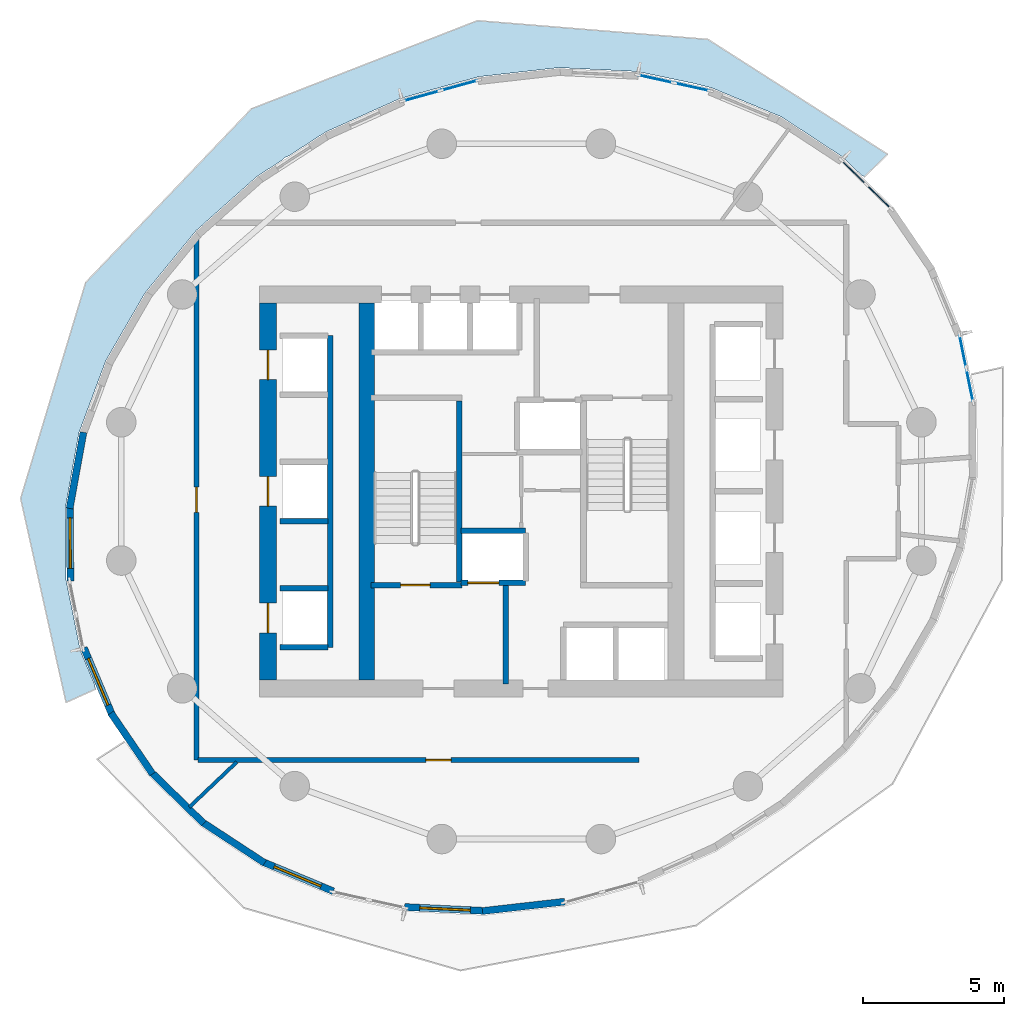
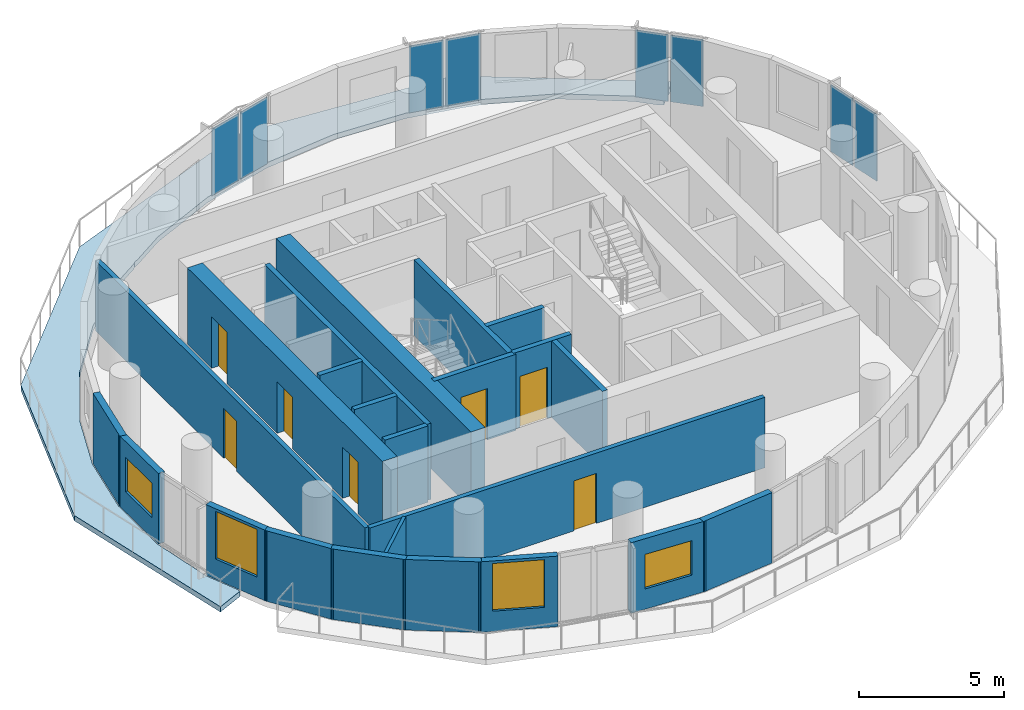
# One storey, part 3 of 11: 23 walls, 8 plates, 7 doors, 4 windows, 1 slab, 11 openings, 4 elements without a shape of their own.
"""IFC4 building model written with IfcOpenShell, lengths in metres."""

from ifc_helpers import new_model, si_unit, direction, frame, frame_2d, origin, origin_2d, place, context, subcontext, project, spatial, polyline, rectangle, outline, extrude, material, layer, layer_set, type_object, element, fill, aggregate, save


model = new_model("IFC4")

# Units and contexts
model_context = context("Model", 3, precision=1e-05, world=origin(), true_north=direction((0.0, 1.0)))
body_context = subcontext(model_context, "Body", "Model", "MODEL_VIEW")
ifc_project = project(units=[si_unit("LENGTHUNIT", "METRE"), si_unit("AREAUNIT", "SQUARE_METRE"), si_unit("VOLUMEUNIT", "CUBIC_METRE"), si_unit("PLANEANGLEUNIT", "RADIAN"), si_unit("MASSUNIT", "GRAM", prefix="KILO")], contexts=[model_context])

# Site, building, storey
site_placement = place(None, origin())
site = spatial("IfcSite", under=ifc_project, at=site_placement, CompositionType="ELEMENT")
building_placement = place(site_placement, origin())
building = spatial("IfcBuilding", under=site, at=building_placement, Name="Veldorim Arch Residences", CompositionType="ELEMENT")
storey_placement = place(building_placement, frame((0.0, 0.0, 116.9599609375)))
storey = spatial("IfcBuildingStorey", under=building, at=storey_placement, Name="L34", CompositionType="ELEMENT", Elevation=116.9599609375)

# Slab
ifc_material_1 = material(Name="Concrete C40/50", Category="concrete")
ifc_layer_1 = layer(ifc_material_1, 0.219970703125, Name="Planted Crescent Cantilever Balcony Slab 220")
ifc_layer_set_1 = layer_set([ifc_layer_1], Name="Concrete C40/50")
slab_type = type_object("IfcSlabType", Name="Planted Crescent Cantilever Balcony Slab 220", PredefinedType="FLOOR", material=ifc_layer_set_1)
slab_placement = place(storey_placement, frame((0.0, 0.0, -0.219970703125)))
element("IfcSlab", 1, at=slab_placement, inside=storey, type_object=slab_type, Name="L34 planted crescent balcony slab A", PredefinedType="FLOOR", context=body_context, shape_type="SweptSolid", body=[
    extrude(outline(polyline([(44.080322265625, 35.243896484375), (43.4248046875, 35.8837890625), (41.24365234375, 37.31298828125), (38.78173828125, 38.33740234375), (38.10107421875, 38.508544921875), (36.114013671875, 38.926513671875), (33.321533203125, 39.0615234375), (30.48876953125, 38.7392578125), (27.702392578125, 37.969482421875), (25.04638671875, 36.775146484375), (23.73486328125, 35.926513671875), (23.593994140625, 35.869384765625), (23.5009765625, 35.775146484375), (22.6015625, 35.19287109375), (20.442138671875, 33.270751953125), (18.6337890625, 31.06689453125), (17.231201171875, 28.648193359375), (16.277587890625, 26.088134765625), (15.801513671875, 23.464599609375), (15.8173828125, 20.856689453125), (16.325439453125, 18.344482421875), (16.840576171875, 17.120361328125), (16.86279296875, 16.97216796875), (15.815185546875, 16.497802734375), (14.201416015625, 23.74951171875), (16.514404296875, 31.4287109375), (22.406494140625, 37.601318359375), (30.43994140625, 40.73388671875), (38.633544921875, 40.06787109375), (45.01611328125, 35.98681640625), (44.196044921875, 35.1806640625), (44.080322265625, 35.243896484375)])), origin(), (0.0, 0.0, 1.0), 0.219970703125),
])

# Curtain wall, plates
ifc_material_2 = material(Name="Aluminium", Category="aluminium")
curtain_wall_type = type_object("IfcCurtainWallType", Name="Sky Lounge & Conservatory Tall Curtain Wall", PredefinedType="NOTDEFINED", material=ifc_material_2)
curtain_wall_1_placement = place(storey_placement, origin())
curtain_wall_1 = element("IfcCurtainWall", 2, at=curtain_wall_1_placement, inside=storey, type_object=curtain_wall_type, Name="L34 unitised curtain wall bay 02", PredefinedType="NOTDEFINED")
ifc_material_3 = material(Name="Laminated Low-E Glass", Category="glass")
ifc_layer_2 = layer(ifc_material_3, 0.031982421875, Name="Sky Lounge & Conservatory Tall Curtain Wall Glazing Panel 32")
ifc_layer_set_2 = layer_set([ifc_layer_2], Name="Laminated Low-E Glass")
plate_type = type_object("IfcPlateType", Name="Sky Lounge & Conservatory Tall Curtain Wall Glazing Panel 32", PredefinedType="CURTAIN_PANEL", material=ifc_layer_set_2)
plate_1_placement = place(storey_placement, frame((43.818115234375, 35.339111328125, 0.080078125), z_axis=(0.0, 0.0, 1.0), x_axis=(0.715538383047, -0.698573419468, 0.0)))
plate_1 = element("IfcPlate", 3, at=plate_1_placement, type_object=plate_type, Name="CW-SKY panel 1.1", PredefinedType="CURTAIN_PANEL", context=body_context, shape_type="SweptSolid", body=[
    extrude(rectangle(XDim=1.1591796875, YDim=0.031982421875, at=origin_2d()), origin(), (0.0, 0.0, 1.0), 2.800048828125),
])
plate_2_placement = place(storey_placement, frame((44.704833984375, 34.4736328125, 0.080078125), z_axis=(0.0, 0.0, 1.0), x_axis=(0.715538383047, -0.698573419468, 0.0)))
plate_2 = element("IfcPlate", 4, at=plate_2_placement, type_object=plate_type, Name="CW-SKY panel 2.1", PredefinedType="CURTAIN_PANEL", context=body_context, shape_type="SweptSolid", body=[
    extrude(rectangle(XDim=1.1591796875, YDim=0.031982421875, at=origin_2d()), origin(), (0.0, 0.0, 1.0), 2.800048828125),
])
aggregate(curtain_wall_1, [plate_1, plate_2])

curtain_wall_2_placement = place(storey_placement, origin())
curtain_wall_2 = element("IfcCurtainWall", 5, at=curtain_wall_2_placement, inside=storey, type_object=curtain_wall_type, Name="L34 unitised curtain wall bay 05", PredefinedType="NOTDEFINED")
plate_3_placement = place(storey_placement, frame((36.776611328125, 38.662353515625, 0.080078125), z_axis=(0.0, 0.0, 1.0), x_axis=(0.976495752591, -0.215536644615, 0.0)))
plate_3 = element("IfcPlate", 6, at=plate_3_placement, type_object=plate_type, Name="CW-SKY panel 1.1", PredefinedType="CURTAIN_PANEL", context=body_context, shape_type="SweptSolid", body=[
    extrude(rectangle(XDim=1.243896484375, YDim=0.031982421875, at=origin_2d()), origin(), (0.0, 0.0, 1.0), 2.800048828125),
])
plate_4_placement = place(storey_placement, frame((38.0693359375, 38.376953125, 0.080078125), z_axis=(0.0, 0.0, 1.0), x_axis=(0.976495752591, -0.215536644615, 0.0)))
plate_4 = element("IfcPlate", 7, at=plate_4_placement, type_object=plate_type, Name="CW-SKY panel 2.1", PredefinedType="CURTAIN_PANEL", context=body_context, shape_type="SweptSolid", body=[
    extrude(rectangle(XDim=1.243896484375, YDim=0.031982421875, at=origin_2d()), origin(), (0.0, 0.0, 1.0), 2.800048828125),
])
aggregate(curtain_wall_2, [plate_3, plate_4])

curtain_wall_3_placement = place(storey_placement, origin())
curtain_wall_3 = element("IfcCurtainWall", 8, at=curtain_wall_3_placement, inside=storey, type_object=curtain_wall_type, Name="L34 unitised curtain wall bay 08", PredefinedType="NOTDEFINED")
plate_5_placement = place(storey_placement, frame((28.44970703125, 38.056640625, 0.080078125), z_axis=(0.0, 0.0, 1.0), x_axis=(0.963883228742, 0.266325217262, 0.0)))
plate_5 = element("IfcPlate", 9, at=plate_5_placement, type_object=plate_type, Name="CW-SKY panel 1.1", PredefinedType="CURTAIN_PANEL", context=body_context, shape_type="SweptSolid", body=[
    extrude(rectangle(XDim=1.323486328125, YDim=0.031982421875, at=origin_2d()), origin(), (0.0, 0.0, 1.0), 2.800048828125),
])
plate_6_placement = place(storey_placement, frame((29.802734375, 38.430419921875, 0.080078125), z_axis=(0.0, 0.0, 1.0), x_axis=(0.963883228742, 0.266325217262, 0.0)))
plate_6 = element("IfcPlate", 10, at=plate_6_placement, type_object=plate_type, Name="CW-SKY panel 2.1", PredefinedType="CURTAIN_PANEL", context=body_context, shape_type="SweptSolid", body=[
    extrude(rectangle(XDim=1.323486328125, YDim=0.031982421875, at=origin_2d()), origin(), (0.0, 0.0, 1.0), 2.800048828125),
])
aggregate(curtain_wall_3, [plate_5, plate_6])

curtain_wall_4_placement = place(storey_placement, origin())
curtain_wall_4 = element("IfcCurtainWall", 11, at=curtain_wall_4_placement, inside=storey, type_object=curtain_wall_type, Name="L34 unitised curtain wall bay 35", PredefinedType="NOTDEFINED")
plate_7_placement = place(storey_placement, frame((47.693115234375, 28.98388671875, 0.080078125), z_axis=(0.0, 0.0, 1.0), x_axis=(0.19818292373, -0.980165051786, 0.0)))
plate_7 = element("IfcPlate", 12, at=plate_7_placement, type_object=plate_type, Name="CW-SKY panel 1.1", PredefinedType="CURTAIN_PANEL", context=body_context, shape_type="SweptSolid", body=[
    extrude(rectangle(XDim=1.1591796875, YDim=0.031982421875, at=origin_2d()), origin(), (0.0, 0.0, 1.0), 2.800048828125),
])
plate_8_placement = place(storey_placement, frame((47.9384765625, 27.769287109375, 0.080078125), z_axis=(0.0, 0.0, 1.0), x_axis=(0.19818292373, -0.980165051786, 0.0)))
plate_8 = element("IfcPlate", 13, at=plate_8_placement, type_object=plate_type, Name="CW-SKY panel 2.1", PredefinedType="CURTAIN_PANEL", context=body_context, shape_type="SweptSolid", body=[
    extrude(rectangle(XDim=1.1591796875, YDim=0.031982421875, at=origin_2d()), origin(), (0.0, 0.0, 1.0), 2.800048828125),
])
aggregate(curtain_wall_4, [plate_7, plate_8])

# Wall
ifc_material_4 = material(Name="Acoustic Gypsum Board", Category="gypsum")
ifc_layer_3 = layer(ifc_material_4, 0.125, Name="Acoustic Stud Room Partition Wall 125")
ifc_layer_set_3 = layer_set([ifc_layer_3], Name="Acoustic Gypsum Board")
wall_type_1 = type_object("IfcWallType", Name="Acoustic Stud Room Partition Wall 125", PredefinedType="PARTITIONING", material=ifc_layer_set_3)
wall_1_placement = place(storey_placement, frame((21.885009765625, 14.381103515625, 0.0), z_axis=(0.0, 0.0, 1.0), x_axis=(-0.724677896259, -0.68908776413, 0.0)))
element("IfcWall", 14, at=wall_1_placement, inside=storey, type_object=wall_type_1, Name="L34 interior wall WL-SKY-L34-011", PredefinedType="PARTITIONING", context=body_context, shape_type="SweptSolid", body=[
    extrude(rectangle(XDim=2.332275390625, YDim=0.125, at=frame_2d((1.166015625, 0.0))), origin(), (0.0, 0.0, 1.0), 2.955078125),
])

# Wall, opening, door
ifc_material_5 = material(Name="Lightweight Masonry Block & Gypsum", Category="masonry")
ifc_layer_4 = layer(ifc_material_5, 0.179931640625, Name="Compartment & Corridor Fire-Rated Party Wall 180")
ifc_layer_set_4 = layer_set([ifc_layer_4], Name="Lightweight Masonry Block & Gypsum")
wall_type_2 = type_object("IfcWallType", Name="Compartment & Corridor Fire-Rated Party Wall 180", PredefinedType="PARTITIONING", material=ifc_layer_set_4)
wall_2_placement = place(storey_placement, frame((20.449951171875, 14.449951171875, 0.0), z_axis=(0.0, 0.0, 1.0), x_axis=(0.0, 1.0, 0.0)))
wall_2 = element("IfcWall", 15, at=wall_2_placement, inside=storey, type_object=wall_type_2, Name="L34 interior wall WL-SKY-L34-002", PredefinedType="PARTITIONING", context=body_context, shape_type="SweptSolid", body=[
    extrude(rectangle(XDim=18.50732421875, YDim=0.179931640625, at=frame_2d((9.253662109375, 0.0))), origin(), (0.0, 0.0, 1.0), 2.955078125),
])
opening_1_placement = place(wall_2_placement, frame((8.8037109375, 0.0, 0.0)))
opening_1 = element("IfcOpeningElement", 16, at=opening_1_placement, cuts=wall_2, Name="Opening DR-INT", PredefinedType="OPENING", context=body_context, shape_type="SweptSolid", body=[
    extrude(rectangle(XDim=0.89990234375, YDim=2.10009765625, at=frame_2d((0.449951171875, 1.050048828125))), frame((0.0, 0.099853515625, 0.0), z_axis=(0.0, -1.0, 0.0), x_axis=(1.0, 0.0, 0.0)), (0.0, 0.0, 1.0), 0.199951171875),
])
ifc_material_6 = material(Name="Engineered Timber", Category="wood")
door_type_1 = type_object("IfcDoorType", Name="Apartment Internal Room Timber Door 900x2100", OperationType="SINGLE_SWING_LEFT", PredefinedType="DOOR", material=ifc_material_6)
door_1_placement = place(opening_1_placement, origin())
door_1 = element("IfcDoor", 17, at=door_1_placement, inside=storey, type_object=door_type_1, Name="L34 interior door DR-SKY-L34-002", OperationType="SINGLE_SWING_RIGHT", OverallHeight=2.10009765625, OverallWidth=0.89990234375, PredefinedType="DOOR", context=body_context, shape_type="SweptSolid", body=[
    extrude(rectangle(XDim=0.89990234375, YDim=2.10009765625, at=frame_2d((0.449951171875, 1.050048828125))), frame((0.0, 0.02490234375, 0.0), z_axis=(0.0, -1.0, 0.0), x_axis=(1.0, 0.0, 0.0)), (0.0, 0.0, 1.0), 0.050048828125),
])
fill(opening_1, door_1)

wall_3_placement = place(storey_placement, frame((36.186279296875, 14.449951171875, 0.0), z_axis=(0.0, 0.0, 1.0), x_axis=(-1.0, 0.0, 0.0)))
wall_3 = element("IfcWall", 18, at=wall_3_placement, inside=storey, type_object=wall_type_2, Name="L34 interior wall WL-SKY-L34-003", PredefinedType="PARTITIONING", context=body_context, shape_type="SweptSolid", body=[
    extrude(rectangle(XDim=15.67626953125, YDim=0.179931640625, at=frame_2d((7.838134765625, 0.0))), origin(), (0.0, 0.0, 1.0), 2.955078125),
])
opening_2_placement = place(wall_3_placement, frame((6.678955078125, 0.0, 0.0)))
opening_2 = element("IfcOpeningElement", 19, at=opening_2_placement, cuts=wall_3, Name="Opening DR-INT", PredefinedType="OPENING", context=body_context, shape_type="SweptSolid", body=[
    extrude(rectangle(XDim=0.89990234375, YDim=2.10009765625, at=frame_2d((0.449951171875, 1.050048828125))), frame((0.0, 0.099853515625, 0.0), z_axis=(0.0, -1.0, 0.0), x_axis=(1.0, 0.0, 0.0)), (0.0, 0.0, 1.0), 0.199951171875),
])
door_2_placement = place(opening_2_placement, origin())
door_2 = element("IfcDoor", 20, at=door_2_placement, inside=storey, type_object=door_type_1, Name="L34 interior door DR-SKY-L34-003", OperationType="SINGLE_SWING_LEFT", OverallHeight=2.10009765625, OverallWidth=0.89990234375, PredefinedType="DOOR", context=body_context, shape_type="SweptSolid", body=[
    extrude(rectangle(XDim=0.89990234375, YDim=2.10009765625, at=frame_2d((0.449951171875, 1.050048828125))), frame((0.0, 0.02490234375, 0.0), z_axis=(0.0, -1.0, 0.0), x_axis=(1.0, 0.0, 0.0)), (0.0, 0.0, 1.0), 0.050048828125),
])
fill(opening_2, door_2)

# Wall
ifc_material_7 = material(Name="Concrete C50/60", Category="concrete")
ifc_layer_5 = layer(ifc_material_7, 0.199951171875, Name="Core Stair & Lift Shaft Enclosure Wall 200")
ifc_layer_set_5 = layer_set([ifc_layer_5], Name="Concrete C50/60")
wall_type_3 = type_object("IfcWallType", Name="Core Stair & Lift Shaft Enclosure Wall 200", PredefinedType="SHEAR", material=ifc_layer_set_5)
wall_4_placement = place(storey_placement, frame((29.7900390625, 20.780029296875, 0.0), z_axis=(0.0, 0.0, 1.0), x_axis=(0.0, 1.0, 0.0)))
element("IfcWall", 21, at=wall_4_placement, inside=storey, type_object=wall_type_3, Name="L34 shaft wall WL-SHF-L34-ST1-E", PredefinedType="SHEAR", context=body_context, shape_type="SweptSolid", body=[
    extrude(rectangle(XDim=6.43994140625, YDim=0.199951171875, at=frame_2d((3.219970703125, 0.0))), origin(), (0.0, 0.0, 1.0), 3.199951171875),
])

# Wall, opening, door
wall_5_placement = place(storey_placement, frame((26.64990234375, 20.669921875, 0.0), z_axis=(0.0, 0.0, 1.0), x_axis=(1.0, 0.0, 0.0)))
wall_5 = element("IfcWall", 22, at=wall_5_placement, inside=storey, type_object=wall_type_3, Name="L34 shaft wall WL-SHF-L34-ST1-S", PredefinedType="SHEAR", context=body_context, shape_type="SweptSolid", body=[
    extrude(rectangle(XDim=3.239990234375, YDim=0.199951171875, at=frame_2d((1.6201171875, 0.0))), origin(), (0.0, 0.0, 1.0), 3.199951171875),
])
opening_3_placement = place(wall_5_placement, frame((1.054931640625, 0.0, 0.0)))
opening_3 = element("IfcOpeningElement", 23, at=opening_3_placement, cuts=wall_5, Name="Opening DR-ST", PredefinedType="OPENING", context=body_context, shape_type="SweptSolid", body=[
    extrude(rectangle(XDim=1.050048828125, YDim=2.14990234375, at=frame_2d((0.52490234375, 1.074951171875))), frame((0.0, 0.10986328125, 0.0), z_axis=(0.0, -1.0, 0.0), x_axis=(1.0, 0.0, 0.0)), (0.0, 0.0, 1.0), 0.219970703125),
])
ifc_material_8 = material(Name="Fire-Rated Steel", Category="steel")
door_type_2 = type_object("IfcDoorType", Name="Exit Staircase Self-Closing Fire Door 1050x2150", OperationType="SINGLE_SWING_LEFT", PredefinedType="DOOR", material=ifc_material_8)
door_3_placement = place(opening_3_placement, origin())
door_3 = element("IfcDoor", 24, at=door_3_placement, inside=storey, type_object=door_type_2, Name="L34 interior door DR-L34-ST1", OperationType="SINGLE_SWING_LEFT", OverallHeight=2.14990234375, OverallWidth=1.050048828125, PredefinedType="DOOR", context=body_context, shape_type="SweptSolid", body=[
    extrude(rectangle(XDim=1.050048828125, YDim=2.14990234375, at=frame_2d((0.52490234375, 1.074951171875))), frame((0.0, 0.02490234375, 0.0), z_axis=(0.0, -1.0, 0.0), x_axis=(1.0, 0.0, 0.0)), (0.0, 0.0, 1.0), 0.050048828125),
])
fill(opening_3, door_3)

# Wall
wall_6_placement = place(storey_placement, frame((31.449951171875, 17.14990234375, 0.0), z_axis=(0.0, 0.0, 1.0), x_axis=(0.0, 1.0, 0.0)))
element("IfcWall", 25, at=wall_6_placement, inside=storey, type_object=wall_type_3, Name="L34 shaft wall WL-FFL1-L34-E", PredefinedType="SHEAR", context=body_context, shape_type="SweptSolid", body=[
    extrude(rectangle(XDim=3.5, YDim=0.199951171875, at=frame_2d((1.75, 0.0))), origin(), (0.0, 0.0, 1.0), 3.199951171875),
])

# Wall, opening, door
wall_7_placement = place(storey_placement, frame((29.85009765625, 20.75, 0.0), z_axis=(0.0, 0.0, 1.0), x_axis=(1.0, 0.0, 0.0)))
wall_7 = element("IfcWall", 26, at=wall_7_placement, inside=storey, type_object=wall_type_3, Name="L34 shaft wall WL-FL01-L34-S", PredefinedType="SHEAR", context=body_context, shape_type="SweptSolid", body=[
    extrude(rectangle(XDim=2.2998046875, YDim=0.199951171875, at=frame_2d((1.14990234375, 0.0))), origin(), (0.0, 0.0, 1.0), 3.199951171875),
])
opening_4_placement = place(wall_7_placement, frame((0.25, 0.0, 0.0)))
opening_4 = element("IfcOpeningElement", 27, at=opening_4_placement, cuts=wall_7, Name="Opening LD-FF", PredefinedType="OPENING", context=body_context, shape_type="SweptSolid", body=[
    extrude(rectangle(XDim=1.10009765625, YDim=2.14990234375, at=frame_2d((0.550048828125, 1.074951171875))), frame((0.0, 0.10986328125, 0.0), z_axis=(0.0, -1.0, 0.0), x_axis=(1.0, 0.0, 0.0)), (0.0, 0.0, 1.0), 0.219970703125),
])
ifc_material_9 = material(Name="Stainless Steel", Category="steel")
door_type_3 = type_object("IfcDoorType", Name="Firefighting Lift Bi-Parting Sliding Landing Door 1100x2150", OperationType="DOUBLE_DOOR_SLIDING", PredefinedType="DOOR", material=ifc_material_9)
door_4_placement = place(opening_4_placement, origin())
door_4 = element("IfcDoor", 28, at=door_4_placement, inside=storey, type_object=door_type_3, Name="L34 lift landing door LD-L34-FL01", OperationType="DOUBLE_DOOR_SLIDING", OverallHeight=2.14990234375, OverallWidth=1.10009765625, PredefinedType="DOOR", context=body_context, shape_type="SweptSolid", body=[
    extrude(rectangle(XDim=1.10009765625, YDim=2.14990234375, at=frame_2d((0.550048828125, 1.074951171875))), frame((0.0, 0.02490234375, 0.0), z_axis=(0.0, -1.0, 0.0), x_axis=(1.0, 0.0, 0.0)), (0.0, 0.0, 1.0), 0.050048828125),
])
fill(opening_4, door_4)

# Walls
wall_8_placement = place(storey_placement, frame((29.85009765625, 22.60009765625, 0.0), z_axis=(0.0, 0.0, 1.0), x_axis=(1.0, 0.0, 0.0)))
element("IfcWall", 29, at=wall_8_placement, inside=storey, type_object=wall_type_3, Name="L34 shaft wall WL-FL01-L34-N", PredefinedType="SHEAR", context=body_context, shape_type="SweptSolid", body=[
    extrude(rectangle(XDim=2.2998046875, YDim=0.199951171875, at=frame_2d((1.14990234375, 0.0))), origin(), (0.0, 0.0, 1.0), 3.199951171875),
])
wall_9_placement = place(storey_placement, frame((25.199951171875, 18.4599609375, 0.0), z_axis=(0.0, 0.0, 1.0), x_axis=(0.0, 1.0, 0.0)))
element("IfcWall", 30, at=wall_9_placement, inside=storey, type_object=wall_type_3, Name="L34 shaft wall WL-B2-L34-E", PredefinedType="SHEAR", context=body_context, shape_type="SweptSolid", body=[
    extrude(rectangle(XDim=11.080078125, YDim=0.199951171875, at=frame_2d((5.5400390625, 0.0))), origin(), (0.0, 0.0, 1.0), 3.199951171875),
])
for number, where, z_axis, x_axis, name in (
    (31, (23.419921875, 18.4599609375, 0.0), (0.0, 0.0, 1.0), (1.0, 0.0, 0.0), "L34 shaft wall WL-B2-L34-S"),
    (32, (23.419921875, 20.56005859375, 0.0), (0.0, 0.0, 1.0), (1.0, 0.0, 0.0), "L34 shaft wall WL-B2-L34-D1A"),
    (33, (23.419921875, 22.93994140625, 0.0), (0.0, 0.0, 1.0), (1.0, 0.0, 0.0), "L34 shaft wall WL-B2-L34-D1B"),
):
    element("IfcWall", number, at=place(storey_placement, frame(where, z_axis=z_axis, x_axis=x_axis)), inside=storey, type_object=wall_type_3, Name=name, PredefinedType="SHEAR", context=body_context, shape_type="SweptSolid", body=[
        extrude(rectangle(XDim=1.7099609375, YDim=0.199951171875, at=frame_2d((0.85498046875, 0.0))), origin(), (0.0, 0.0, 1.0), 3.199951171875),
    ])

# Wall, openings, doors
ifc_material_10 = material(Name="Concrete C50/60", Category="concrete")
ifc_layer_6 = layer(ifc_material_10, 0.60009765625, Name="Mid-Upper Central Core Shear Wall 600")
ifc_layer_set_6 = layer_set([ifc_layer_6], Name="Concrete C50/60")
wall_type_4 = type_object("IfcWallType", Name="Mid-Upper Central Core Shear Wall 600", PredefinedType="SHEAR", material=ifc_layer_set_6)
wall_10_placement = place(storey_placement, frame((23.0, 17.300048828125, 0.0), z_axis=(0.0, 0.0, 1.0), x_axis=(0.0, 1.0, 0.0)))
wall_10 = element("IfcWall", 34, at=wall_10_placement, inside=storey, type_object=wall_type_4, Name="L34 central core west shear wall", PredefinedType="SHEAR", context=body_context, shape_type="SweptSolid", body=[
    extrude(rectangle(XDim=13.39990234375, YDim=0.60009765625, at=frame_2d((6.699951171875, 0.0))), origin(), (0.0, 0.0, 1.0), 3.199951171875),
])
opening_5_placement = place(wall_10_placement, frame((1.675048828125, 0.0, 0.0)))
opening_5 = element("IfcOpeningElement", 35, at=opening_5_placement, cuts=wall_10, Name="Opening LD-PS", PredefinedType="OPENING", context=body_context, shape_type="SweptSolid", body=[
    extrude(rectangle(XDim=1.050048828125, YDim=2.14990234375, at=frame_2d((0.52490234375, 1.074951171875))), frame((0.0, 0.31005859375, 0.0), z_axis=(0.0, -1.0, 0.0), x_axis=(1.0, 0.0, 0.0)), (0.0, 0.0, 1.0), 0.6201171875),
])
opening_6_placement = place(wall_10_placement, frame((6.175048828125, 0.0, 0.0)))
opening_6 = element("IfcOpeningElement", 36, at=opening_6_placement, cuts=wall_10, Name="Opening LD-PS", PredefinedType="OPENING", context=body_context, shape_type="SweptSolid", body=[
    extrude(rectangle(XDim=1.050048828125, YDim=2.14990234375, at=frame_2d((0.52490234375, 1.074951171875))), frame((0.0, 0.31005859375, 0.0), z_axis=(0.0, -1.0, 0.0), x_axis=(1.0, 0.0, 0.0)), (0.0, 0.0, 1.0), 0.6201171875),
])
opening_7_placement = place(wall_10_placement, frame((10.675048828125, 0.0, 0.0)))
opening_7 = element("IfcOpeningElement", 37, at=opening_7_placement, cuts=wall_10, Name="Opening LD-PS", PredefinedType="OPENING", context=body_context, shape_type="SweptSolid", body=[
    extrude(rectangle(XDim=1.050048828125, YDim=2.14990234375, at=frame_2d((0.52490234375, 1.074951171875))), frame((0.0, 0.31005859375, 0.0), z_axis=(0.0, -1.0, 0.0), x_axis=(1.0, 0.0, 0.0)), (0.0, 0.0, 1.0), 0.6201171875),
])
ifc_material_11 = material(Name="Stainless Steel", Category="steel")
door_type_4 = type_object("IfcDoorType", Name="Passenger Lift Bi-Parting Sliding Landing Door 1050x2150", OperationType="DOUBLE_DOOR_SLIDING", PredefinedType="DOOR", material=ifc_material_11)
door_5_placement = place(opening_5_placement, origin())
door_5 = element("IfcDoor", 38, at=door_5_placement, inside=storey, type_object=door_type_4, Name="L34 lift landing door LD-L34-PL-05", OperationType="DOUBLE_DOOR_SLIDING", OverallHeight=2.14990234375, OverallWidth=1.050048828125, PredefinedType="DOOR", context=body_context, shape_type="SweptSolid", body=[
    extrude(rectangle(XDim=1.050048828125, YDim=2.14990234375, at=frame_2d((0.52490234375, 1.074951171875))), frame((0.0, 0.02490234375, 0.0), z_axis=(0.0, -1.0, 0.0), x_axis=(1.0, 0.0, 0.0)), (0.0, 0.0, 1.0), 0.050048828125),
])
fill(opening_5, door_5)
door_6_placement = place(opening_6_placement, origin())
door_6 = element("IfcDoor", 39, at=door_6_placement, inside=storey, type_object=door_type_4, Name="L34 lift landing door LD-L34-PL-06", OperationType="DOUBLE_DOOR_SLIDING", OverallHeight=2.14990234375, OverallWidth=1.050048828125, PredefinedType="DOOR", context=body_context, shape_type="SweptSolid", body=[
    extrude(rectangle(XDim=1.050048828125, YDim=2.14990234375, at=frame_2d((0.52490234375, 1.074951171875))), frame((0.0, 0.02490234375, 0.0), z_axis=(0.0, -1.0, 0.0), x_axis=(1.0, 0.0, 0.0)), (0.0, 0.0, 1.0), 0.050048828125),
])
fill(opening_6, door_6)
door_7_placement = place(opening_7_placement, origin())
door_7 = element("IfcDoor", 40, at=door_7_placement, inside=storey, type_object=door_type_4, Name="L34 lift landing door LD-L34-PL-07", OperationType="DOUBLE_DOOR_SLIDING", OverallHeight=2.14990234375, OverallWidth=1.050048828125, PredefinedType="DOOR", context=body_context, shape_type="SweptSolid", body=[
    extrude(rectangle(XDim=1.050048828125, YDim=2.14990234375, at=frame_2d((0.52490234375, 1.074951171875))), frame((0.0, 0.02490234375, 0.0), z_axis=(0.0, -1.0, 0.0), x_axis=(1.0, 0.0, 0.0)), (0.0, 0.0, 1.0), 0.050048828125),
])
fill(opening_7, door_7)

# Wall
ifc_material_12 = material(Name="Precast concrete C40/50", Category="concrete")
ifc_layer_7 = layer(ifc_material_12, 0.25, Name="Tower Terracotta Spandrel & Pier Wall 250")
ifc_layer_set_7 = layer_set([ifc_layer_7], Name="Precast concrete C40/50")
wall_type_5 = type_object("IfcWallType", Name="Tower Terracotta Spandrel & Pier Wall 250", PredefinedType="SOLIDWALL", material=ifc_layer_set_7)
wall_11_placement = place(storey_placement, frame((15.94140625, 23.395751953125, 0.0), z_axis=(0.0, 0.0, 1.0), x_axis=(0.178495077034, 0.983940804863, 0.0)))
element("IfcWall", 41, at=wall_11_placement, inside=storey, type_object=wall_type_5, Name="L34 terracotta facade wall 15", PredefinedType="SOLIDWALL", context=body_context, shape_type="SweptSolid", body=[
    extrude(rectangle(XDim=2.751953125, YDim=0.25, at=frame_2d((1.3759765625, 0.0))), origin(), (0.0, 0.0, 1.0), 2.9599609375),
])

# Wall, opening, window
wall_12_placement = place(storey_placement, frame((15.9677734375, 20.815185546875, 0.0), z_axis=(0.0, 0.0, 1.0), x_axis=(-0.006164887379, 0.999980996901, 0.0)))
wall_12 = element("IfcWall", 42, at=wall_12_placement, inside=storey, type_object=wall_type_5, Name="L34 terracotta facade wall 16", PredefinedType="SOLIDWALL", context=body_context, shape_type="SweptSolid", body=[
    extrude(rectangle(XDim=2.69287109375, YDim=0.25, at=frame_2d((1.346435546875, 0.0))), origin(), (0.0, 0.0, 1.0), 2.9599609375),
])
opening_8_placement = place(wall_12_placement, frame((0.446044921875, 0.0, 0.85009765625)))
opening_8 = element("IfcOpeningElement", 43, at=opening_8_placement, cuts=wall_12, Name="Opening WN-04", PredefinedType="OPENING", context=body_context, shape_type="SweptSolid", body=[
    extrude(rectangle(XDim=1.800048828125, YDim=1.449951171875, at=frame_2d((0.89990234375, 0.72509765625))), frame((0.0, 0.135009765625, 0.0), z_axis=(0.0, -1.0, 0.0), x_axis=(1.0, 0.0, 0.0)), (0.0, 0.0, 1.0), 0.27001953125),
])
ifc_material_13 = material(Name="Laminated Low-E Glass", Category="glass")
window_type = type_object("IfcWindowType", Name="Sky Lounge Tall Picture Window 1800x1370", PartitioningType="SINGLE_PANEL", PredefinedType="WINDOW", material=ifc_material_13)
window_1_placement = place(opening_8_placement, origin())
window_1 = element("IfcWindow", 44, at=window_1_placement, inside=storey, type_object=window_type, Name="L34 solar-control facade window 16", OverallHeight=1.449951171875, OverallWidth=1.800048828125, PartitioningType="SINGLE_PANEL", PredefinedType="WINDOW", context=body_context, shape_type="SweptSolid", body=[
    extrude(rectangle(XDim=1.800048828125, YDim=1.449951171875, at=frame_2d((0.89990234375, 0.72509765625))), frame((0.0, 0.030029296875, 0.0), z_axis=(0.0, -1.0, 0.0), x_axis=(1.0, 0.0, 0.0)), (0.0, 0.0, 1.0), 0.06005859375),
])
fill(opening_8, window_1)

wall_13_placement = place(storey_placement, frame((17.46484375, 16.023193359375, 0.0), z_axis=(0.0, 0.0, 1.0), x_axis=(-0.387790779971, 0.921747422546, 0.0)))
wall_13 = element("IfcWall", 45, at=wall_13_placement, inside=storey, type_object=wall_type_5, Name="L34 terracotta facade wall 18", PredefinedType="SOLIDWALL", context=body_context, shape_type="SweptSolid", body=[
    extrude(rectangle(XDim=2.6240234375, YDim=0.25, at=frame_2d((1.31201171875, 0.0))), origin(), (0.0, 0.0, 1.0), 2.9599609375),
])
opening_9_placement = place(wall_13_placement, frame((0.412109375, 0.0, 0.85009765625)))
opening_9 = element("IfcOpeningElement", 46, at=opening_9_placement, cuts=wall_13, Name="Opening WN-04", PredefinedType="OPENING", context=body_context, shape_type="SweptSolid", body=[
    extrude(rectangle(XDim=1.800048828125, YDim=2.0, at=frame_2d((0.89990234375, 1.0))), frame((0.0, 0.135009765625, 0.0), z_axis=(0.0, -1.0, 0.0), x_axis=(1.0, 0.0, 0.0)), (0.0, 0.0, 1.0), 0.27001953125),
])
window_2_placement = place(opening_9_placement, origin())
window_2 = element("IfcWindow", 47, at=window_2_placement, inside=storey, type_object=window_type, Name="L34 solar-control facade window 18", OverallHeight=2.0, OverallWidth=1.800048828125, PartitioningType="SINGLE_PANEL", PredefinedType="WINDOW", context=body_context, shape_type="SweptSolid", body=[
    extrude(rectangle(XDim=1.800048828125, YDim=2.0, at=frame_2d((0.89990234375, 1.0))), frame((0.0, 0.030029296875, 0.0), z_axis=(0.0, -1.0, 0.0), x_axis=(1.0, 0.0, 0.0)), (0.0, 0.0, 1.0), 0.06005859375),
])
fill(opening_9, window_2)

# Walls
wall_14_placement = place(storey_placement, frame((18.888916015625, 13.9560546875, 0.0), z_axis=(0.0, 0.0, 1.0), x_axis=(-0.563599495618, 0.826048187783, 0.0)))
element("IfcWall", 48, at=wall_14_placement, inside=storey, type_object=wall_type_5, Name="L34 terracotta facade wall 19", PredefinedType="SOLIDWALL", context=body_context, shape_type="SweptSolid", body=[
    extrude(rectangle(XDim=2.624267578125, YDim=0.25, at=frame_2d((1.31201171875, 0.0))), origin(), (0.0, 0.0, 1.0), 2.9599609375),
])
wall_15_placement = place(storey_placement, frame((20.71044921875, 12.193603515625, 0.0), z_axis=(0.0, 0.0, 1.0), x_axis=(-0.715536902875, 0.698574935582, 0.0)))
element("IfcWall", 49, at=wall_15_placement, inside=storey, type_object=wall_type_5, Name="L34 terracotta facade wall 20", PredefinedType="SOLIDWALL", context=body_context, shape_type="SweptSolid", body=[
    extrude(rectangle(XDim=2.6484375, YDim=0.25, at=frame_2d((1.32421875, 0.0))), origin(), (0.0, 0.0, 1.0), 2.9599609375),
])
wall_16_placement = place(storey_placement, frame((22.874267578125, 10.7890625, 0.0), z_axis=(0.0, 0.0, 1.0), x_axis=(-0.836445365251, 0.5480503179, 0.0)))
element("IfcWall", 50, at=wall_16_placement, inside=storey, type_object=wall_type_5, Name="L34 terracotta facade wall 21", PredefinedType="SOLIDWALL", context=body_context, shape_type="SweptSolid", body=[
    extrude(rectangle(XDim=2.69287109375, YDim=0.25, at=frame_2d((1.346435546875, 0.0))), origin(), (0.0, 0.0, 1.0), 2.9599609375),
])

# Wall, opening, window
wall_17_placement = place(storey_placement, frame((25.3154296875, 9.784423828125, 0.0), z_axis=(0.0, 0.0, 1.0), x_axis=(-0.923242191478, 0.384218500172, 0.0)))
wall_17 = element("IfcWall", 51, at=wall_17_placement, inside=storey, type_object=wall_type_5, Name="L34 terracotta facade wall 22", PredefinedType="SOLIDWALL", context=body_context, shape_type="SweptSolid", body=[
    extrude(rectangle(XDim=2.751953125, YDim=0.25, at=frame_2d((1.3759765625, 0.0))), origin(), (0.0, 0.0, 1.0), 2.9599609375),
])
opening_10_placement = place(wall_17_placement, frame((0.47607421875, 0.0, 0.85009765625)))
opening_10 = element("IfcOpeningElement", 52, at=opening_10_placement, cuts=wall_17, Name="Opening WN-04", PredefinedType="OPENING", context=body_context, shape_type="SweptSolid", body=[
    extrude(rectangle(XDim=1.800048828125, YDim=2.0, at=frame_2d((0.89990234375, 1.0))), frame((0.0, 0.135009765625, 0.0), z_axis=(0.0, -1.0, 0.0), x_axis=(1.0, 0.0, 0.0)), (0.0, 0.0, 1.0), 0.27001953125),
])
window_3_placement = place(opening_10_placement, origin())
window_3 = element("IfcWindow", 53, at=window_3_placement, inside=storey, type_object=window_type, Name="L34 solar-control facade window 22", OverallHeight=2.0, OverallWidth=1.800048828125, PartitioningType="SINGLE_PANEL", PredefinedType="WINDOW", context=body_context, shape_type="SweptSolid", body=[
    extrude(rectangle(XDim=1.800048828125, YDim=2.0, at=frame_2d((0.89990234375, 1.0))), frame((0.0, 0.030029296875, 0.0), z_axis=(0.0, -1.0, 0.0), x_axis=(1.0, 0.0, 0.0)), (0.0, 0.0, 1.0), 0.06005859375),
])
fill(opening_10, window_3)

wall_18_placement = place(storey_placement, frame((30.728759765625, 9.086181640625, 0.0), z_axis=(0.0, 0.0, 1.0), x_axis=(-0.998829284317, 0.048374174838, 0.0)))
wall_18 = element("IfcWall", 54, at=wall_18_placement, inside=storey, type_object=wall_type_5, Name="L34 terracotta facade wall 24", PredefinedType="SOLIDWALL", context=body_context, shape_type="SweptSolid", body=[
    extrude(rectangle(XDim=2.8818359375, YDim=0.25, at=frame_2d((1.44091796875, 0.0))), origin(), (0.0, 0.0, 1.0), 2.9599609375),
])
opening_11_placement = place(wall_18_placement, frame((0.541015625, 0.0, 0.85009765625)))
opening_11 = element("IfcOpeningElement", 55, at=opening_11_placement, cuts=wall_18, Name="Opening WN-04", PredefinedType="OPENING", context=body_context, shape_type="SweptSolid", body=[
    extrude(rectangle(XDim=1.800048828125, YDim=1.449951171875, at=frame_2d((0.89990234375, 0.72509765625))), frame((0.0, 0.135009765625, 0.0), z_axis=(0.0, -1.0, 0.0), x_axis=(1.0, 0.0, 0.0)), (0.0, 0.0, 1.0), 0.27001953125),
])
window_4_placement = place(opening_11_placement, origin())
window_4 = element("IfcWindow", 56, at=window_4_placement, inside=storey, type_object=window_type, Name="L34 solar-control facade window 24", OverallHeight=1.449951171875, OverallWidth=1.800048828125, PartitioningType="SINGLE_PANEL", PredefinedType="WINDOW", context=body_context, shape_type="SweptSolid", body=[
    extrude(rectangle(XDim=1.800048828125, YDim=1.449951171875, at=frame_2d((0.89990234375, 0.72509765625))), frame((0.0, 0.030029296875, 0.0), z_axis=(0.0, -1.0, 0.0), x_axis=(1.0, 0.0, 0.0)), (0.0, 0.0, 1.0), 0.06005859375),
])
fill(opening_11, window_4)

# Walls
wall_19_placement = place(storey_placement, frame((33.537109375, 9.41455078125, 0.0), z_axis=(0.0, 0.0, 1.0), x_axis=(-0.993589349096, -0.113049570382, 0.0)))
element("IfcWall", 57, at=wall_19_placement, inside=storey, type_object=wall_type_5, Name="L34 terracotta facade wall 25", PredefinedType="SOLIDWALL", context=body_context, shape_type="SweptSolid", body=[
    extrude(rectangle(XDim=2.93701171875, YDim=0.25, at=frame_2d((1.468505859375, 0.0))), origin(), (0.0, 0.0, 1.0), 2.9599609375),
])
ifc_material_14 = material(Name="Concrete C50/60", Category="concrete")
ifc_layer_8 = layer(ifc_material_14, 0.56005859375, Name="Upper Internal Core Shear Web Wall 560")
ifc_layer_set_8 = layer_set([ifc_layer_8], Name="Concrete C50/60")
wall_type_6 = type_object("IfcWallType", Name="Upper Internal Core Shear Web Wall 560", PredefinedType="SHEAR", material=ifc_layer_set_8)
wall_20_placement = place(storey_placement, frame((26.5, 17.300048828125, 0.0), z_axis=(0.0, 0.0, 1.0), x_axis=(0.0, 1.0, 0.0)))
element("IfcWall", 58, at=wall_20_placement, inside=storey, type_object=wall_type_6, Name="L34 core west internal shear web", PredefinedType="SHEAR", context=body_context, shape_type="SweptSolid", body=[
    extrude(rectangle(XDim=13.39990234375, YDim=0.56005859375, at=frame_2d((6.699951171875, 0.0))), origin(), (0.0, 0.0, 1.0), 3.199951171875),
])

save(model, "model.ifc")
